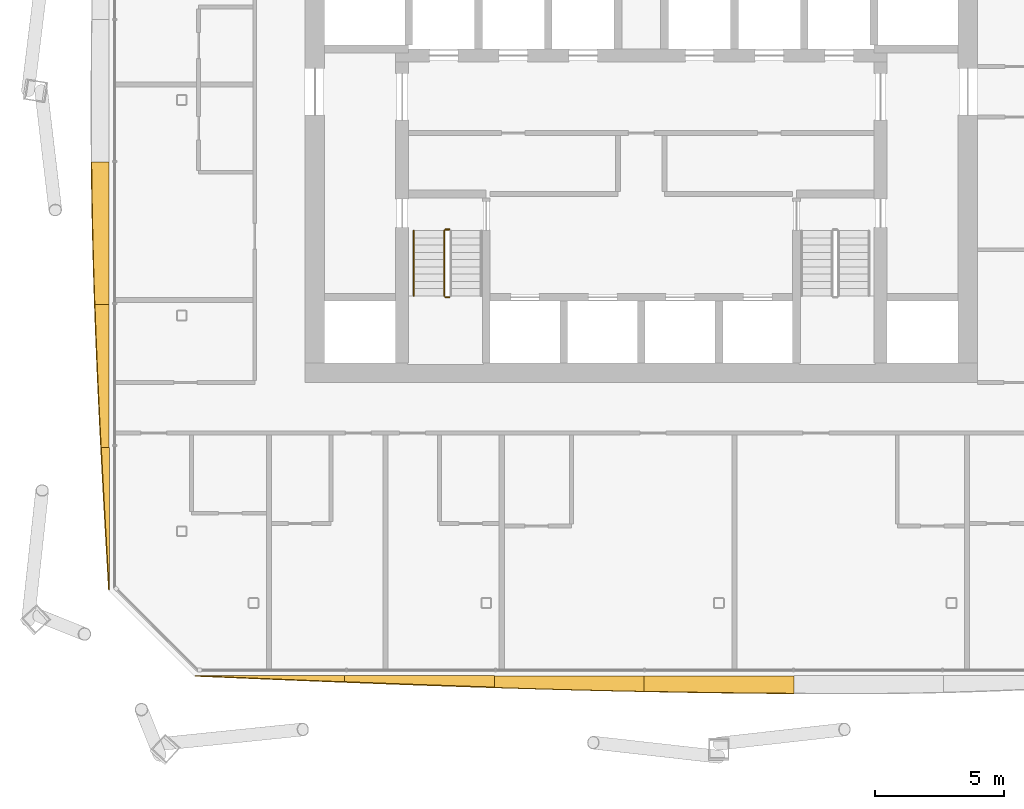
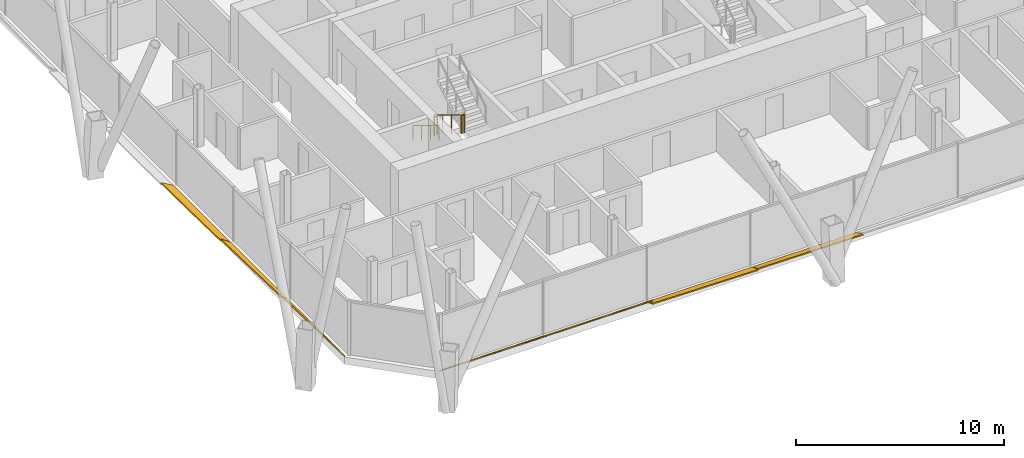
# One storey, part 18 of 22: 7 shading devices, 4 railings.
"""IFC4 building model written with IfcOpenShell, lengths in metres."""

from ifc_helpers import new_model, si_unit, direction, frame, origin, origin_2d, place, context, subcontext, project, spatial, polyline, circle, outline, extrude, material, layer, layer_set, type_object, element, save


model = new_model("IFC4")

# Units and contexts
model_context = context("Model", 3, precision=1e-05, world=origin(), true_north=direction((0.0, 1.0)))
body_context = subcontext(model_context, "Body", "Model", "MODEL_VIEW")
ifc_project = project(units=[si_unit("LENGTHUNIT", "METRE"), si_unit("AREAUNIT", "SQUARE_METRE"), si_unit("VOLUMEUNIT", "CUBIC_METRE"), si_unit("PLANEANGLEUNIT", "RADIAN"), si_unit("MASSUNIT", "GRAM", prefix="KILO")], contexts=[model_context])

# Site, building, storey
site_placement = place(None, origin())
site = spatial("IfcSite", under=ifc_project, at=site_placement, CompositionType="ELEMENT")
building_placement = place(site_placement, origin())
building = spatial("IfcBuilding", under=site, at=building_placement, Name="Tskaro Facet Tower", CompositionType="ELEMENT")
storey_placement = place(building_placement, frame((0.0, 0.0, 121.5)))
storey = spatial("IfcBuildingStorey", under=building, at=storey_placement, Name="L28", CompositionType="ELEMENT", Elevation=121.5)

# Shading devices
ifc_material_1 = material(Name="Bronze anodised aluminium 6063-T6", Category="aluminium")
ifc_layer = layer(ifc_material_1, 0.06005859375, Name="Bronze anodised aluminium 6063-T6")
ifc_layer_set = layer_set([ifc_layer], Name="Bronze anodised aluminium 6063-T6")
shading_device_type = type_object("IfcShadingDeviceType", Name="Bronze sun blade (FN1)", PredefinedType="USERDEFINED", material=ifc_layer_set)
shading_device_1_placement = place(storey_placement, frame((-17.27001953125, -23.58251953125, 0.049072265625), z_axis=(6.67647e-07, 0.573811961275, 0.818987077491), x_axis=(1.0, -3.83104e-07, -5.46794e-07)))
element("IfcShadingDevice", 1, at=shading_device_1_placement, inside=storey, type_object=shading_device_type, Name="Fin blade south 1", ObjectType="FIN", PredefinedType="USERDEFINED", context=body_context, shape_type="SweptSolid", body=[
    extrude(outline(polyline([(0.0, 0.0), (5.7915039062487095, 0.0), (5.791503906251159, -0.2897513146850139), (5.067626953129733, -0.2548699502096643), (4.34350585932974, -0.21944859888952528), (3.619628906328206, -0.18354711793070427), (2.8957519531396083, -0.14724574093795198), (2.1718749999909743, -0.11060432511737589), (1.4479980468423408, -0.0739629092967998), (0.7238769531086704, -0.0369814546483999), (0.0, 0.0)])), origin(), (0.0, 0.0, -1.0), 0.06005859375),
])
shading_device_2_placement = place(storey_placement, frame((-11.478515625, -23.578369140625, 0.0458984375), z_axis=(1.246121e-06, 0.642844613397, 0.765996607711), x_axis=(0.999999999999, -8.01062e-07, -9.54524e-07)))
element("IfcShadingDevice", 2, at=shading_device_2_placement, inside=storey, type_object=shading_device_type, Name="Fin blade south 2", ObjectType="FIN", PredefinedType="USERDEFINED", context=body_context, shape_type="SweptSolid", body=[
    extrude(outline(polyline([(0.0, 0.0), (5.791259765620504, 0.0), (5.791259765599488, -0.5810459165909639), (5.067382812576249, -0.5503803677566086), (4.343505859432371, -0.5188398972792038), (3.619628906205321, -0.4860805497825022), (2.8957519530532037, -0.45263329153330606), (2.171630859388485, -0.4181541671553678), (1.4477539062281277, -0.38280012113438017), (0.7238769531427028, -0.34675816436089785), (-6.336100615883403e-11, -0.30984128594436616), (0.0, 0.0)])), origin(), (0.0, 0.0, -1.0), 0.06005859375),
])
shading_device_3_placement = place(storey_placement, frame((-5.687255859375, -23.596435546875, 0.056396484375), z_axis=(-4.618732e-06, 0.341955110342, 0.939716288297), x_axis=(0.999999999989, 1.579399e-06, 4.340297e-06)))
element("IfcShadingDevice", 3, at=shading_device_3_placement, inside=storey, type_object=shading_device_type, Name="Fin blade south 3", ObjectType="FIN", PredefinedType="USERDEFINED", context=body_context, shape_type="SweptSolid", body=[
    extrude(outline(polyline([(0.0, 0.0), (5.791503906188226, 0.0), (5.791503906103989, -0.6354702366712065), (5.067626953581483, -0.6194093425543594), (4.343749999808026, -0.6019508784246781), (3.619873046902902, -0.5832618145508859), (2.895751952795877, -0.5634880887205709), (2.171875000182183, -0.542483763146145), (1.4479980466059907, -0.5206241985371463), (0.7241210938981323, -0.49753403418403663), (-3.972233432114125e-10, -0.47358863079635416), (0.0, 0.0)])), origin(), (0.0, 0.0, -1.0), 0.06005859375),
])
shading_device_4_placement = place(storey_placement, frame((0.104248046875, -23.591552734375, 0.054443359375), z_axis=(-1.4765425e-05, 0.422448442539, 0.906386955543), x_axis=(0.999999999891, 6.237631e-06, 1.3383188e-05)))
element("IfcShadingDevice", 4, at=shading_device_4_placement, inside=storey, type_object=shading_device_type, Name="Fin blade south 4", ObjectType="FIN", PredefinedType="USERDEFINED", context=body_context, shape_type="SweptSolid", body=[
    extrude(outline(polyline([(0.0, 0.0), (5.791503905618675, 0.0), (5.791503906566178, -0.7447988219827847), (5.067626954349187, -0.738899164402226), (4.343505857796519, -0.7318049528298896), (3.619628904471217, -0.7231767523368937), (2.8957519537483107, -0.7130145629232386), (2.171874999314701, -0.7016578195178056), (1.4479980474834846, -0.6887670871917135), (0.7238769528394507, -0.6744605149960012), (-1.6229334840045614e-09, -0.6590625256353141), (0.0, 0.0)])), origin(), (0.0, 0.0, -1.0), 0.06005859375),
])
shading_device_5_placement = place(storey_placement, frame((-20.5869140625, -3.715576171875, 0.052001953125), z_axis=(0.499926277207, -1.1529522e-05, 0.866067963398), x_axis=(-5.763911e-06, -0.999999999934, -9.98535e-06)))
element("IfcShadingDevice", 5, at=shading_device_5_placement, inside=storey, type_object=shading_device_type, Name="Fin blade west 5", ObjectType="FIN", PredefinedType="USERDEFINED", context=body_context, shape_type="SweptSolid", body=[
    extrude(outline(polyline([(0.0, 0.0), (5.518066405883242, 0.0), (5.518066406661692, -0.6325344333547935), (4.828369140309789, -0.6587893990707054), (4.138671874889395, -0.6827425642265956), (3.448730467337697, -0.7045159811362436), (2.7590332037803207, -0.7238655451720906), (2.069335937309419, -0.7408239185878045), (1.3796386728006511, -0.755146996755827), (0.6896972647533736, -0.7670788843037164), (-7.067866612105406e-10, -0.7763754766039144), (0.0, 0.0)])), origin(), (0.0, 0.0, -1.0), 0.06005859375),
])
shading_device_6_placement = place(storey_placement, frame((-20.58251953125, -9.233642578125, 0.049072265625), z_axis=(0.57360508631, -5.218933e-06, 0.819131982608), x_axis=(-2.993607e-06, -0.999999999986, -4.274995e-06)))
element("IfcShadingDevice", 6, at=shading_device_6_placement, inside=storey, type_object=shading_device_type, Name="Fin blade west 6", ObjectType="FIN", PredefinedType="USERDEFINED", context=body_context, shape_type="SweptSolid", body=[
    extrude(outline(polyline([(0.0, 0.0), (5.518310546799848, 0.0), (5.518310546618116, -0.37407458717308817), (4.828369141251498, -0.41687622636473975), (4.1386718752558105, -0.4580578442783956), (3.448974608736917, -0.49781942430824977), (2.7590332031572227, -0.5358808858457487), (2.0693359372612976, -0.5719823024067807), (1.3796386711550068, -0.60632365738554), (0.6899414069257495, -0.6386248701734729), (-3.314533266714714e-10, -0.6685660711965505), (0.0, 0.0)])), origin(), (0.0, 0.0, -1.0), 0.06005859375),
])
shading_device_7_placement = place(storey_placement, frame((-20.578369140625, -14.751953125, 0.0458984375), z_axis=(0.642854770307, 8.748632e-06, 0.7659880836), x_axis=(5.6241e-06, -0.999999999962, 6.701348e-06)))
element("IfcShadingDevice", 7, at=shading_device_7_placement, inside=storey, type_object=shading_device_type, Name="Fin blade west 7", ObjectType="FIN", PredefinedType="USERDEFINED", context=body_context, shape_type="SweptSolid", body=[
    extrude(outline(polyline([(0.0, 0.0), (5.518066406038828, -4.673984051230883e-21), (4.828369140771371, -0.05198417020678365), (4.138427734615924, -0.10362438463867452), (3.4487304688224674, -0.15492064329567262), (2.7590332025030104, -0.20552899040288514), (2.0690917966686344, -0.2556063729257252), (1.3793945309332487, -0.30499584389877965), (0.6896972657819346, -0.35316643873767606), (-4.213797179497576e-10, -0.39996121047700134), (0.0, 0.0)])), origin(), (0.0, 0.0, -1.0), 0.06005859375),
])

# Railings
ifc_material_2 = material(Name="Stainless steel", Category="steel")
railing_type_1 = type_object("IfcRailingType", Name="RL-GUARD-1100", PredefinedType="GUARDRAIL", material=ifc_material_2)
railing_1_placement = place(storey_placement, frame((-7.625, -6.375, 0.169921875)))
element("IfcRailing", 8, at=railing_1_placement, inside=storey, type_object=railing_type_1, Name="L28 ST-1 stair guard 1", PredefinedType="GUARDRAIL", context=body_context, shape_type="SweptSolid", body=[
    extrude(circle(Radius=0.02392578125, at=origin_2d()), frame((0.0, 0.0, 1.076171875), z_axis=(0.0, -0.85478489116, 0.518982456201), x_axis=(1.0, 0.0, 0.0)), (0.0, 0.0, 1.0), 2.9482421875),
    extrude(circle(Radius=0.02099609375, at=origin_2d()), origin(), (0.0, 0.0, 1.0), 1.052001953125),
    extrude(circle(Radius=0.02099609375, at=origin_2d()), frame((0.0, -0.840087890625, 0.510009765625)), (0.0, 0.0, 1.0), 1.052001953125),
    extrude(circle(Radius=0.02099609375, at=origin_2d()), frame((0.0, -1.679931640625, 1.02001953125)), (0.0, 0.0, 1.0), 1.052001953125),
    extrude(circle(Radius=0.02099609375, at=origin_2d()), frame((0.0, -2.52001953125, 1.530029296875)), (0.0, 0.0, 1.0), 1.052001953125),
])
for number, where, name in (
    (9, (-7.574951171875, -8.945068359375, 1.699951171875), "L28 ST-1 stair guard 2"),
    (10, (-7.574951171875, -6.324951171875, 0.0), "L28 ST-1 stair guard 4"),
):
    element("IfcRailing", number, at=place(storey_placement, frame(where)), inside=storey, type_object=railing_type_1, Name=name, PredefinedType="GUARDRAIL", context=body_context, shape_type="SweptSolid", body=[
        extrude(circle(Radius=0.02392578125, at=origin_2d()), frame((0.0, 0.0, 1.076171875), z_axis=(1.0, 0.0, 0.0), x_axis=(0.0, 1.0, 0.0)), (0.0, 0.0, 1.0), 0.14990234375),
        extrude(circle(Radius=0.02099609375, at=origin_2d()), origin(), (0.0, 0.0, 1.0), 1.052001953125),
        extrude(circle(Radius=0.02099609375, at=origin_2d()), frame((0.14990234375, 0.0, 0.0)), (0.0, 0.0, 1.0), 1.052001953125),
    ])
railing_type_2 = type_object("IfcRailingType", Name="RL-HANDRAIL-900", PredefinedType="HANDRAIL", material=ifc_material_2)
railing_2_placement = place(storey_placement, frame((-8.800048828125, -6.375, 0.169921875)))
element("IfcRailing", 11, at=railing_2_placement, inside=storey, type_object=railing_type_2, Name="L28 ST-1 stair handrail 1", PredefinedType="HANDRAIL", context=body_context, shape_type="SweptSolid", body=[
    extrude(circle(Radius=0.02392578125, at=origin_2d()), frame((0.0, 0.0, 0.8759765625), z_axis=(0.0, -0.85478489116, 0.518982456201), x_axis=(1.0, 0.0, 0.0)), (0.0, 0.0, 1.0), 2.9482421875),
    extrude(circle(Radius=0.02099609375, at=origin_2d()), origin(), (0.0, 0.0, 1.0), 0.851806640625),
    extrude(circle(Radius=0.02099609375, at=origin_2d()), frame((0.0, -0.840087890625, 0.510009765625)), (0.0, 0.0, 1.0), 0.851806640625),
    extrude(circle(Radius=0.02099609375, at=origin_2d()), frame((0.0, -1.679931640625, 1.02001953125)), (0.0, 0.0, 1.0), 0.851806640625),
    extrude(circle(Radius=0.02099609375, at=origin_2d()), frame((0.0, -2.52001953125, 1.530029296875)), (0.0, 0.0, 1.0), 0.851806640625),
])

save(model, "model.ifc")
